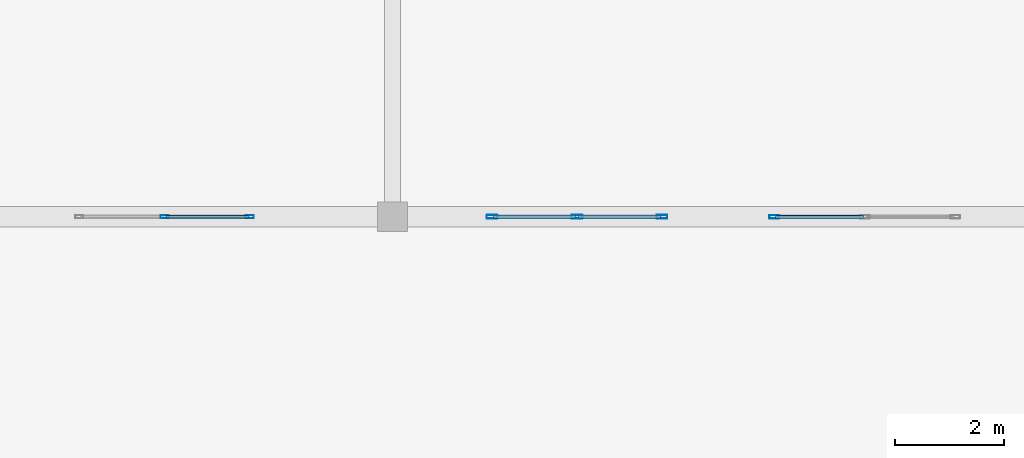
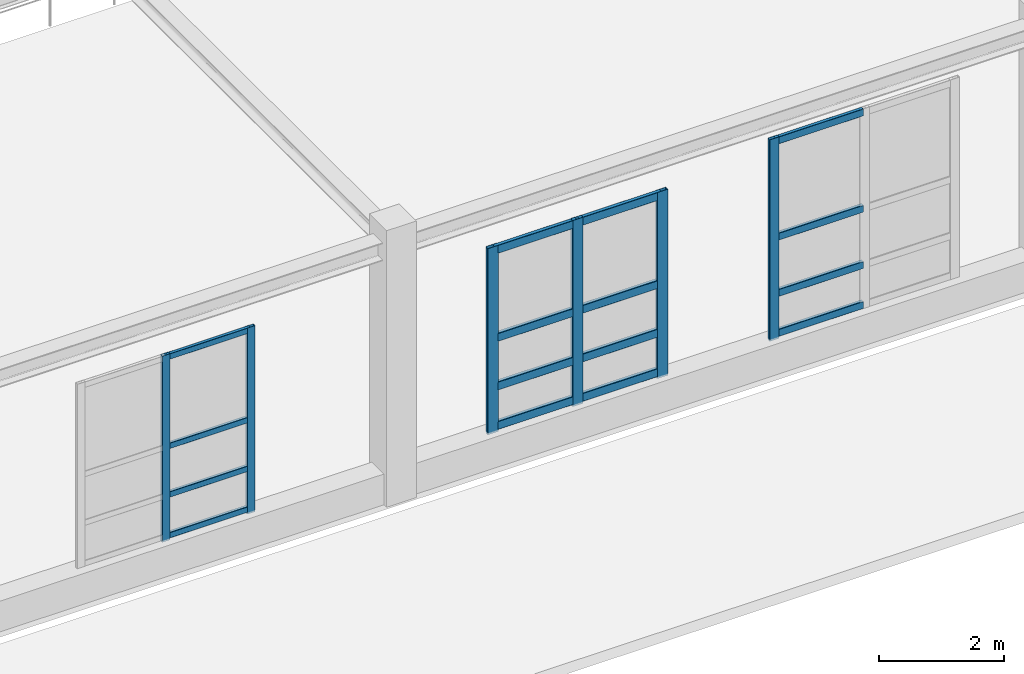
# One storey, part 57 of 197: 22 members, 3 elements without a shape of their own.
"""IFC4 building model written with IfcOpenShell, lengths in metres."""

from ifc_helpers import new_model, si_unit, derived_unit, direction, frame, origin, origin_2d, place, context, subcontext, project, spatial, hollow_rectangle, extrude, material, layer, layer_set, material_profile, profile_set, type_object, element, aggregate, save


model = new_model("IFC4")

# Units and contexts
model_context = context("Model", 3, precision=1e-05, world=origin(), true_north=direction((0.0, 1.0)))
body_context = subcontext(model_context, "Body", "Model", "MODEL_VIEW")
ifc_project = project(units=[si_unit("LENGTHUNIT", "METRE"), si_unit("AREAUNIT", "SQUARE_METRE"), si_unit("VOLUMEUNIT", "CUBIC_METRE"), si_unit("PLANEANGLEUNIT", "RADIAN"), si_unit("MASSUNIT", "GRAM", prefix="KILO"), derived_unit("THERMALTRANSMITTANCEUNIT", [(si_unit("POWERUNIT", "WATT"), 1), (si_unit("LENGTHUNIT", "METRE"), -2), (si_unit("THERMODYNAMICTEMPERATUREUNIT", "KELVIN"), -1)])], contexts=[model_context])

# Site, building, storey
site_placement = place(None, origin())
site = spatial("IfcSite", under=ifc_project, at=site_placement, CompositionType="ELEMENT")
building_placement = place(site_placement, origin())
building = spatial("IfcBuilding", under=site, at=building_placement, Name="Almenara Railside Exhibition Hall", CompositionType="ELEMENT")
storey_placement = place(building_placement, frame((0.0, 0.0, 5.39990234375)))
storey = spatial("IfcBuildingStorey", under=building, at=storey_placement, Name="L01", CompositionType="ELEMENT", Elevation=5.39990234375)

# Curtain wall, members
ifc_material_1 = material(Name="Bronze-anodised aluminium and low-E double glazing", Category="aluminium")
ifc_layer_1 = layer(ifc_material_1, 0.179931640625, Name="Bronze-anodised aluminium and low-E double glazing")
ifc_layer_set_1 = layer_set([ifc_layer_1], Name="Bronze-anodised aluminium and low-E double glazing")
curtain_wall_type_1 = type_object("IfcCurtainWallType", Name="Concourse Bridge Curtain Wall 3200x3600", PredefinedType="NOTDEFINED", material=ifc_layer_set_1)
curtain_wall_1_placement = place(storey_placement, origin())
curtain_wall_1 = element("IfcCurtainWall", 1, at=curtain_wall_1_placement, inside=storey, type_object=curtain_wall_type_1, Name="Curtain wall CW-PC3-129", PredefinedType="NOTDEFINED")
ifc_material_2 = material(Name="Bronze-anodised aluminium", Category="aluminium")
ifc_material_profile_1 = material_profile(ifc_material_2, hollow_rectangle(XDim=0.06005859375, YDim=0.14990234375, WallThickness=0.00341796875, InnerFilletRadius=0.00341796875, OuterFilletRadius=0.007080078125, at=origin_2d()), Name="ALU-MUL 60x150x3.5")
ifc_profile_set_1 = profile_set([ifc_material_profile_1], Name="Bronze-anodised aluminium")
member_type_1 = type_object("IfcMemberType", Name="Curtain Wall Mullion 60x150x3.5", PredefinedType="MULLION", material=ifc_profile_set_1)
member_1_placement = place(storey_placement, frame((97.800048828125, 36.0, 0.565185546875), z_axis=(0.0, 0.0, 1.0), x_axis=(0.0, 1.0, 0.0)))
member_1 = element("IfcMember", 2, at=member_1_placement, type_object=member_type_1, Name="CW-PC3-129 mullion 2", PredefinedType="MULLION", context=body_context, shape_type="SweptSolid", body=[
    extrude(hollow_rectangle(XDim=0.06005859375, YDim=0.14990234375, WallThickness=0.00341796875, InnerFilletRadius=0.00341796875, OuterFilletRadius=0.007080078125, at=origin_2d()), origin(), (0.0, 0.0, 1.0), 3.635009765625),
])
member_2_placement = place(storey_placement, frame((99.3701171875, 36.0, 0.565185546875), z_axis=(0.0, 0.0, 1.0), x_axis=(0.0, 1.0, 0.0)))
member_2 = element("IfcMember", 3, at=member_2_placement, type_object=member_type_1, Name="CW-PC3-129 mullion 3", PredefinedType="MULLION", context=body_context, shape_type="SweptSolid", body=[
    extrude(hollow_rectangle(XDim=0.06005859375, YDim=0.14990234375, WallThickness=0.00341796875, InnerFilletRadius=0.00341796875, OuterFilletRadius=0.007080078125, at=origin_2d()), origin(), (0.0, 0.0, 1.0), 3.635009765625),
])

# Curtain wall, member
ifc_layer_2 = layer(ifc_material_1, 0.179931640625, Name="Bronze-anodised aluminium and low-E double glazing")
ifc_layer_set_2 = layer_set([ifc_layer_2], Name="Bronze-anodised aluminium and low-E double glazing")
curtain_wall_type_2 = type_object("IfcCurtainWallType", Name="Concourse Upper Portale Curtain Wall 3400x3900", PredefinedType="NOTDEFINED", material=ifc_layer_set_2)
curtain_wall_2_placement = place(storey_placement, origin())
curtain_wall_2 = element("IfcCurtainWall", 4, at=curtain_wall_2_placement, inside=storey, type_object=curtain_wall_type_2, Name="Curtain wall CW-PC2-136", PredefinedType="NOTDEFINED")
ifc_material_profile_2 = material_profile(ifc_material_2, hollow_rectangle(XDim=0.06494140625, YDim=0.179931640625, WallThickness=0.00390625, InnerFilletRadius=0.00390625, OuterFilletRadius=0.008056640625, at=origin_2d()), Name="ALU-MUL 65x180x4")
ifc_profile_set_2 = profile_set([ifc_material_profile_2], Name="Bronze-anodised aluminium")
member_type_2 = type_object("IfcMemberType", Name="Curtain Wall Mullion 65x180x4", PredefinedType="MULLION", material=ifc_profile_set_2)
member_3_placement = place(storey_placement, frame((109.032470703125, 36.0, 0.565185546875), z_axis=(0.0, 0.0, 1.0), x_axis=(0.0, 1.0, 0.0)))
member_3 = element("IfcMember", 5, at=member_3_placement, type_object=member_type_2, Name="CW-PC2-136 mullion 1", PredefinedType="MULLION", context=body_context, shape_type="SweptSolid", body=[
    extrude(hollow_rectangle(XDim=0.06494140625, YDim=0.179931640625, WallThickness=0.00390625, InnerFilletRadius=0.00390625, OuterFilletRadius=0.008056640625, at=origin_2d()), origin(), (0.0, 0.0, 1.0), 3.934814453125),
])

# Curtain wall, members
curtain_wall_3_placement = place(storey_placement, origin())
curtain_wall_3 = element("IfcCurtainWall", 6, at=curtain_wall_3_placement, inside=storey, type_object=curtain_wall_type_1, Name="Curtain wall CW-PC3-135", PredefinedType="NOTDEFINED")
ifc_material_profile_3 = material_profile(ifc_material_2, hollow_rectangle(XDim=0.070068359375, YDim=0.199951171875, WallThickness=0.00439453125, InnerFilletRadius=0.00439453125, OuterFilletRadius=0.009033203125, at=origin_2d()), Name="ALU-MUL 70x200x4.5")
ifc_profile_set_3 = profile_set([ifc_material_profile_3], Name="Bronze-anodised aluminium")
member_type_3 = type_object("IfcMemberType", Name="Curtain Wall Mullion 70x200x4.5", PredefinedType="MULLION", material=ifc_profile_set_3)
member_4_placement = place(storey_placement, frame((103.8349609375, 36.0, 0.565185546875), z_axis=(0.0, 0.0, 1.0), x_axis=(0.0, 1.0, 0.0)))
member_4 = element("IfcMember", 7, at=member_4_placement, type_object=member_type_3, Name="CW-PC3-135 mullion 1", PredefinedType="MULLION", context=body_context, shape_type="SweptSolid", body=[
    extrude(hollow_rectangle(XDim=0.070068359375, YDim=0.199951171875, WallThickness=0.00439453125, InnerFilletRadius=0.00439453125, OuterFilletRadius=0.009033203125, at=origin_2d()), origin(), (0.0, 0.0, 1.0), 3.635009765625),
])
member_5_placement = place(storey_placement, frame((105.39990234375, 36.0, 0.565185546875), z_axis=(0.0, 0.0, 1.0), x_axis=(0.0, 1.0, 0.0)))
member_5 = element("IfcMember", 8, at=member_5_placement, type_object=member_type_3, Name="CW-PC3-135 mullion 2", PredefinedType="MULLION", context=body_context, shape_type="SweptSolid", body=[
    extrude(hollow_rectangle(XDim=0.070068359375, YDim=0.199951171875, WallThickness=0.00439453125, InnerFilletRadius=0.00439453125, OuterFilletRadius=0.009033203125, at=origin_2d()), origin(), (0.0, 0.0, 1.0), 3.635009765625),
])
member_6_placement = place(storey_placement, frame((106.965087890625, 36.0, 0.565185546875), z_axis=(0.0, 0.0, 1.0), x_axis=(0.0, 1.0, 0.0)))
member_6 = element("IfcMember", 9, at=member_6_placement, type_object=member_type_3, Name="CW-PC3-135 mullion 3", PredefinedType="MULLION", context=body_context, shape_type="SweptSolid", body=[
    extrude(hollow_rectangle(XDim=0.070068359375, YDim=0.199951171875, WallThickness=0.00439453125, InnerFilletRadius=0.00439453125, OuterFilletRadius=0.009033203125, at=origin_2d()), origin(), (0.0, 0.0, 1.0), 3.635009765625),
])

# Member
ifc_material_profile_4 = material_profile(ifc_material_2, hollow_rectangle(XDim=0.06005859375, YDim=0.110107421875, WallThickness=0.0029296875, InnerFilletRadius=0.0029296875, OuterFilletRadius=0.006103515625, at=origin_2d()), Name="ALU-TRN 60x110x3")
ifc_profile_set_4 = profile_set([ifc_material_profile_4], Name="Bronze-anodised aluminium")
member_type_4 = type_object("IfcMemberType", Name="Curtain Wall Transom 60x110x3", PredefinedType="USERDEFINED", material=ifc_profile_set_4)
member_7_placement = place(storey_placement, frame((97.822021484375, 36.0, 0.655029296875), z_axis=(1.0, 0.0, 0.0), x_axis=(0.0, 1.0, 0.0)))
member_7 = element("IfcMember", 10, at=member_7_placement, type_object=member_type_4, Name="CW-PC3-129 transom 2.1", ObjectType="TRANSOM", PredefinedType="USERDEFINED", context=body_context, shape_type="SweptSolid", body=[
    extrude(hollow_rectangle(XDim=0.06005859375, YDim=0.110107421875, WallThickness=0.0029296875, InnerFilletRadius=0.0029296875, OuterFilletRadius=0.006103515625, at=origin_2d()), origin(), (0.0, 0.0, 1.0), 1.52587890625),
])

member_8_placement = place(storey_placement, frame((97.822021484375, 36.0, 1.4501953125), z_axis=(1.0, 0.0, 0.0), x_axis=(0.0, 1.0, 0.0)))
member_8 = element("IfcMember", 11, at=member_8_placement, type_object=member_type_4, Name="CW-PC3-129 transom 2.2", ObjectType="TRANSOM", PredefinedType="USERDEFINED", context=body_context, shape_type="SweptSolid", body=[
    extrude(hollow_rectangle(XDim=0.06005859375, YDim=0.110107421875, WallThickness=0.0029296875, InnerFilletRadius=0.0029296875, OuterFilletRadius=0.006103515625, at=origin_2d()), origin(), (0.0, 0.0, 1.0), 1.52587890625),
])

member_9_placement = place(storey_placement, frame((97.822021484375, 36.0, 2.400146484375), z_axis=(1.0, 0.0, 0.0), x_axis=(0.0, 1.0, 0.0)))
member_9 = element("IfcMember", 12, at=member_9_placement, type_object=member_type_4, Name="CW-PC3-129 transom 2.3", ObjectType="TRANSOM", PredefinedType="USERDEFINED", context=body_context, shape_type="SweptSolid", body=[
    extrude(hollow_rectangle(XDim=0.06005859375, YDim=0.110107421875, WallThickness=0.0029296875, InnerFilletRadius=0.0029296875, OuterFilletRadius=0.006103515625, at=origin_2d()), origin(), (0.0, 0.0, 1.0), 1.52587890625),
])

member_10_placement = place(storey_placement, frame((97.822021484375, 36.0, 4.14501953125), z_axis=(1.0, 0.0, 0.0), x_axis=(0.0, 1.0, 0.0)))
member_10 = element("IfcMember", 13, at=member_10_placement, type_object=member_type_4, Name="CW-PC3-129 transom 2.4", ObjectType="TRANSOM", PredefinedType="USERDEFINED", context=body_context, shape_type="SweptSolid", body=[
    extrude(hollow_rectangle(XDim=0.06005859375, YDim=0.110107421875, WallThickness=0.0029296875, InnerFilletRadius=0.0029296875, OuterFilletRadius=0.006103515625, at=origin_2d()), origin(), (0.0, 0.0, 1.0), 1.52587890625),
])

aggregate(curtain_wall_1, [member_1, member_2, member_7, member_8, member_9, member_10])

ifc_material_profile_5 = material_profile(ifc_material_2, hollow_rectangle(XDim=0.06494140625, YDim=0.139892578125, WallThickness=0.00341796875, InnerFilletRadius=0.00341796875, OuterFilletRadius=0.007080078125, at=origin_2d()), Name="ALU-TRN 65x140x3.5")
ifc_profile_set_5 = profile_set([ifc_material_profile_5], Name="Bronze-anodised aluminium")
member_type_5 = type_object("IfcMemberType", Name="Curtain Wall Transom 65x140x3.5", PredefinedType="USERDEFINED", material=ifc_profile_set_5)
member_11_placement = place(storey_placement, frame((109.056884765625, 36.0, 0.670166015625), z_axis=(1.0, 0.0, 0.0), x_axis=(0.0, 1.0, 0.0)))
member_11 = element("IfcMember", 14, at=member_11_placement, type_object=member_type_5, Name="CW-PC2-136 transom 1.1", ObjectType="TRANSOM", PredefinedType="USERDEFINED", context=body_context, shape_type="SweptSolid", body=[
    extrude(hollow_rectangle(XDim=0.06494140625, YDim=0.139892578125, WallThickness=0.00341796875, InnerFilletRadius=0.00341796875, OuterFilletRadius=0.007080078125, at=origin_2d()), origin(), (0.0, 0.0, 1.0), 1.61865234375),
])

member_12_placement = place(storey_placement, frame((109.056884765625, 36.0, 1.4501953125), z_axis=(1.0, 0.0, 0.0), x_axis=(0.0, 1.0, 0.0)))
member_12 = element("IfcMember", 15, at=member_12_placement, type_object=member_type_5, Name="CW-PC2-136 transom 1.2", ObjectType="TRANSOM", PredefinedType="USERDEFINED", context=body_context, shape_type="SweptSolid", body=[
    extrude(hollow_rectangle(XDim=0.06494140625, YDim=0.139892578125, WallThickness=0.00341796875, InnerFilletRadius=0.00341796875, OuterFilletRadius=0.007080078125, at=origin_2d()), origin(), (0.0, 0.0, 1.0), 1.61865234375),
])

member_13_placement = place(storey_placement, frame((109.056884765625, 36.0, 2.550048828125), z_axis=(1.0, 0.0, 0.0), x_axis=(0.0, 1.0, 0.0)))
member_13 = element("IfcMember", 16, at=member_13_placement, type_object=member_type_5, Name="CW-PC2-136 transom 1.3", ObjectType="TRANSOM", PredefinedType="USERDEFINED", context=body_context, shape_type="SweptSolid", body=[
    extrude(hollow_rectangle(XDim=0.06494140625, YDim=0.139892578125, WallThickness=0.00341796875, InnerFilletRadius=0.00341796875, OuterFilletRadius=0.007080078125, at=origin_2d()), origin(), (0.0, 0.0, 1.0), 1.61865234375),
])

member_14_placement = place(storey_placement, frame((109.056884765625, 36.0, 4.43017578125), z_axis=(1.0, 0.0, 0.0), x_axis=(0.0, 1.0, 0.0)))
member_14 = element("IfcMember", 17, at=member_14_placement, type_object=member_type_5, Name="CW-PC2-136 transom 1.4", ObjectType="TRANSOM", PredefinedType="USERDEFINED", context=body_context, shape_type="SweptSolid", body=[
    extrude(hollow_rectangle(XDim=0.06494140625, YDim=0.139892578125, WallThickness=0.00341796875, InnerFilletRadius=0.00341796875, OuterFilletRadius=0.007080078125, at=origin_2d()), origin(), (0.0, 0.0, 1.0), 1.61865234375),
])

aggregate(curtain_wall_2, [member_3, member_11, member_12, member_13, member_14])

ifc_material_profile_6 = material_profile(ifc_material_2, hollow_rectangle(XDim=0.070068359375, YDim=0.159912109375, WallThickness=0.00390625, InnerFilletRadius=0.00390625, OuterFilletRadius=0.008056640625, at=origin_2d()), Name="ALU-TRN 70x160x4")
ifc_profile_set_6 = profile_set([ifc_material_profile_6], Name="Bronze-anodised aluminium")
member_type_6 = type_object("IfcMemberType", Name="Curtain Wall Transom 70x160x4", PredefinedType="USERDEFINED", material=ifc_profile_set_6)
member_15_placement = place(storey_placement, frame((103.862060546875, 36.0, 0.68017578125), z_axis=(1.0, 0.0, 0.0), x_axis=(0.0, 1.0, 0.0)))
member_15 = element("IfcMember", 18, at=member_15_placement, type_object=member_type_6, Name="CW-PC3-135 transom 1.1", ObjectType="TRANSOM", PredefinedType="USERDEFINED", context=body_context, shape_type="SweptSolid", body=[
    extrude(hollow_rectangle(XDim=0.070068359375, YDim=0.159912109375, WallThickness=0.00390625, InnerFilletRadius=0.00390625, OuterFilletRadius=0.008056640625, at=origin_2d()), origin(), (0.0, 0.0, 1.0), 1.510986328125),
])

member_16_placement = place(storey_placement, frame((103.862060546875, 36.0, 1.4501953125), z_axis=(1.0, 0.0, 0.0), x_axis=(0.0, 1.0, 0.0)))
member_16 = element("IfcMember", 19, at=member_16_placement, type_object=member_type_6, Name="CW-PC3-135 transom 1.2", ObjectType="TRANSOM", PredefinedType="USERDEFINED", context=body_context, shape_type="SweptSolid", body=[
    extrude(hollow_rectangle(XDim=0.070068359375, YDim=0.159912109375, WallThickness=0.00390625, InnerFilletRadius=0.00390625, OuterFilletRadius=0.008056640625, at=origin_2d()), origin(), (0.0, 0.0, 1.0), 1.510986328125),
])

member_17_placement = place(storey_placement, frame((103.862060546875, 36.0, 2.400146484375), z_axis=(1.0, 0.0, 0.0), x_axis=(0.0, 1.0, 0.0)))
member_17 = element("IfcMember", 20, at=member_17_placement, type_object=member_type_6, Name="CW-PC3-135 transom 1.3", ObjectType="TRANSOM", PredefinedType="USERDEFINED", context=body_context, shape_type="SweptSolid", body=[
    extrude(hollow_rectangle(XDim=0.070068359375, YDim=0.159912109375, WallThickness=0.00390625, InnerFilletRadius=0.00390625, OuterFilletRadius=0.008056640625, at=origin_2d()), origin(), (0.0, 0.0, 1.0), 1.510986328125),
])

member_18_placement = place(storey_placement, frame((103.862060546875, 36.0, 4.1201171875), z_axis=(1.0, 0.0, 0.0), x_axis=(0.0, 1.0, 0.0)))
member_18 = element("IfcMember", 21, at=member_18_placement, type_object=member_type_6, Name="CW-PC3-135 transom 1.4", ObjectType="TRANSOM", PredefinedType="USERDEFINED", context=body_context, shape_type="SweptSolid", body=[
    extrude(hollow_rectangle(XDim=0.070068359375, YDim=0.159912109375, WallThickness=0.00390625, InnerFilletRadius=0.00390625, OuterFilletRadius=0.008056640625, at=origin_2d()), origin(), (0.0, 0.0, 1.0), 1.510986328125),
])

member_19_placement = place(storey_placement, frame((105.427001953125, 36.0, 0.68017578125), z_axis=(1.0, 0.0, 0.0), x_axis=(0.0, 1.0, 0.0)))
member_19 = element("IfcMember", 22, at=member_19_placement, type_object=member_type_6, Name="CW-PC3-135 transom 2.1", ObjectType="TRANSOM", PredefinedType="USERDEFINED", context=body_context, shape_type="SweptSolid", body=[
    extrude(hollow_rectangle(XDim=0.070068359375, YDim=0.159912109375, WallThickness=0.00390625, InnerFilletRadius=0.00390625, OuterFilletRadius=0.008056640625, at=origin_2d()), origin(), (0.0, 0.0, 1.0), 1.510986328125),
])

member_20_placement = place(storey_placement, frame((105.427001953125, 36.0, 1.4501953125), z_axis=(1.0, 0.0, 0.0), x_axis=(0.0, 1.0, 0.0)))
member_20 = element("IfcMember", 23, at=member_20_placement, type_object=member_type_6, Name="CW-PC3-135 transom 2.2", ObjectType="TRANSOM", PredefinedType="USERDEFINED", context=body_context, shape_type="SweptSolid", body=[
    extrude(hollow_rectangle(XDim=0.070068359375, YDim=0.159912109375, WallThickness=0.00390625, InnerFilletRadius=0.00390625, OuterFilletRadius=0.008056640625, at=origin_2d()), origin(), (0.0, 0.0, 1.0), 1.510986328125),
])

member_21_placement = place(storey_placement, frame((105.427001953125, 36.0, 2.400146484375), z_axis=(1.0, 0.0, 0.0), x_axis=(0.0, 1.0, 0.0)))
member_21 = element("IfcMember", 24, at=member_21_placement, type_object=member_type_6, Name="CW-PC3-135 transom 2.3", ObjectType="TRANSOM", PredefinedType="USERDEFINED", context=body_context, shape_type="SweptSolid", body=[
    extrude(hollow_rectangle(XDim=0.070068359375, YDim=0.159912109375, WallThickness=0.00390625, InnerFilletRadius=0.00390625, OuterFilletRadius=0.008056640625, at=origin_2d()), origin(), (0.0, 0.0, 1.0), 1.510986328125),
])

member_22_placement = place(storey_placement, frame((105.427001953125, 36.0, 4.1201171875), z_axis=(1.0, 0.0, 0.0), x_axis=(0.0, 1.0, 0.0)))
member_22 = element("IfcMember", 25, at=member_22_placement, type_object=member_type_6, Name="CW-PC3-135 transom 2.4", ObjectType="TRANSOM", PredefinedType="USERDEFINED", context=body_context, shape_type="SweptSolid", body=[
    extrude(hollow_rectangle(XDim=0.070068359375, YDim=0.159912109375, WallThickness=0.00390625, InnerFilletRadius=0.00390625, OuterFilletRadius=0.008056640625, at=origin_2d()), origin(), (0.0, 0.0, 1.0), 1.510986328125),
])

aggregate(curtain_wall_3, [member_4, member_5, member_6, member_15, member_16, member_17, member_18, member_19, member_20, member_21, member_22])

save(model, "model.ifc")
